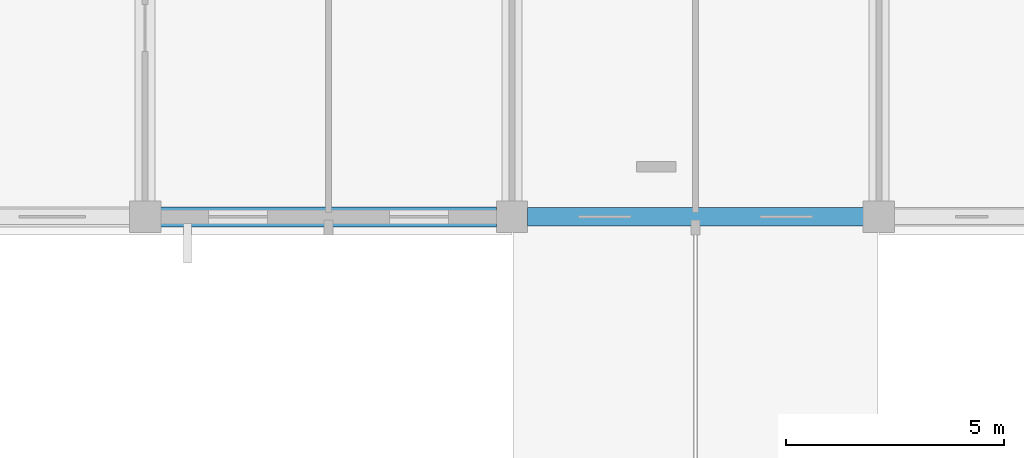
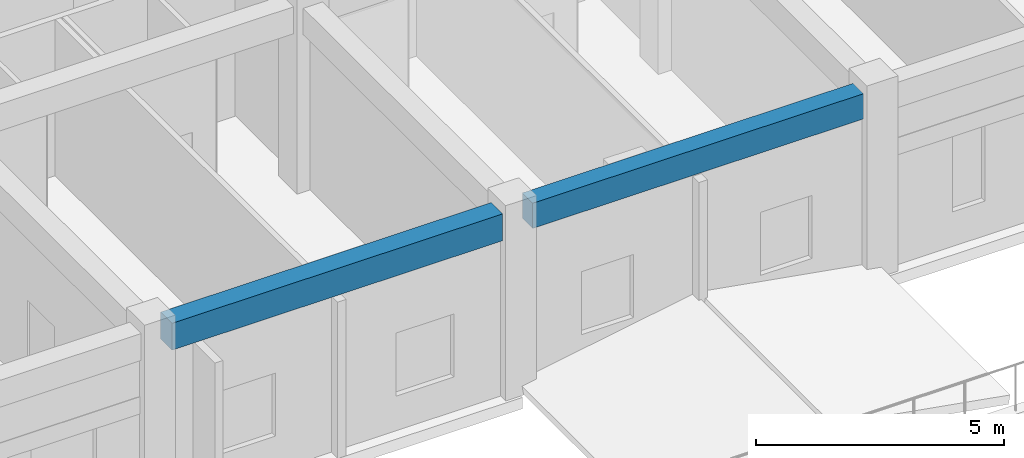
# One storey, part 84 of 158: 2 beams.
"""IFC4 building model written with IfcOpenShell, lengths in metres."""

from ifc_helpers import new_model, si_unit, direction, frame, origin, origin_2d, place, context, subcontext, project, spatial, rectangle, extrude, material, material_profile, profile_set, type_object, element, save


model = new_model("IFC4")

# Units and contexts
model_context = context("Model", 3, precision=1e-05, world=origin(), true_north=direction((0.0, 1.0)))
body_context = subcontext(model_context, "Body", "Model", "MODEL_VIEW")
ifc_project = project(units=[si_unit("LENGTHUNIT", "METRE"), si_unit("AREAUNIT", "SQUARE_METRE"), si_unit("VOLUMEUNIT", "CUBIC_METRE"), si_unit("PLANEANGLEUNIT", "RADIAN"), si_unit("MASSUNIT", "GRAM", prefix="KILO")], contexts=[model_context])

# Site, building, storey
site_placement = place(None, origin())
site = spatial("IfcSite", under=ifc_project, at=site_placement, CompositionType="ELEMENT")
building_placement = place(site_placement, origin())
building = spatial("IfcBuilding", under=site, at=building_placement, Name="Trelvath General Hospital", CompositionType="ELEMENT")
storey_placement = place(building_placement, frame((0.0, 0.0, 8.10009765625)))
storey = spatial("IfcBuildingStorey", under=building, at=storey_placement, Name="L02", CompositionType="ELEMENT", Elevation=8.10009765625)

# Beams
ifc_material_1 = material(Name="Concrete C35/45", Category="concrete")
ifc_material_profile_1 = material_profile(ifc_material_1, rectangle(XDim=0.419921875, YDim=0.6201171875, at=origin_2d()), Name="RCB420x620")
ifc_profile_set_1 = profile_set([ifc_material_profile_1], Name="Concrete C35/45")
beam_type_1 = type_object("IfcBeamType", Name="Beam RC420x620", PredefinedType="BEAM", material=ifc_profile_set_1)
beam_1_placement = place(storey_placement, frame((101.155029296875, 92.39990234375, 4.2099609375), z_axis=(1.0, 0.0, 0.0), x_axis=(0.0, 1.0, 0.0)))
element("IfcBeam", 1, at=beam_1_placement, inside=storey, type_object=beam_type_1, Name="Grid Beam BX-212L", PredefinedType="BEAM", context=body_context, shape_type="SweptSolid", body=[
    extrude(rectangle(XDim=0.419921875, YDim=0.6201171875, at=origin_2d()), origin(), (0.0, 0.0, 1.0), 7.68994140625),
])
ifc_material_2 = material(Name="Concrete C35/45", Category="concrete")
ifc_material_profile_2 = material_profile(ifc_material_2, rectangle(XDim=0.4599609375, YDim=0.659912109375, at=origin_2d()), Name="RCB460x660")
ifc_profile_set_2 = profile_set([ifc_material_profile_2], Name="Concrete C35/45")
beam_type_2 = type_object("IfcBeamType", Name="Beam RC460x660", PredefinedType="BEAM", material=ifc_profile_set_2)
beam_2_placement = place(storey_placement, frame((92.7548828125, 92.39990234375, 4.18994140625), z_axis=(1.0, 0.0, 0.0), x_axis=(0.0, 1.0, 0.0)))
element("IfcBeam", 2, at=beam_2_placement, inside=storey, type_object=beam_type_2, Name="Grid Beam BX-211L", PredefinedType="BEAM", context=body_context, shape_type="SweptSolid", body=[
    extrude(rectangle(XDim=0.4599609375, YDim=0.659912109375, at=origin_2d()), origin(), (0.0, 0.0, 1.0), 7.690185546875),
])

save(model, "model.ifc")
